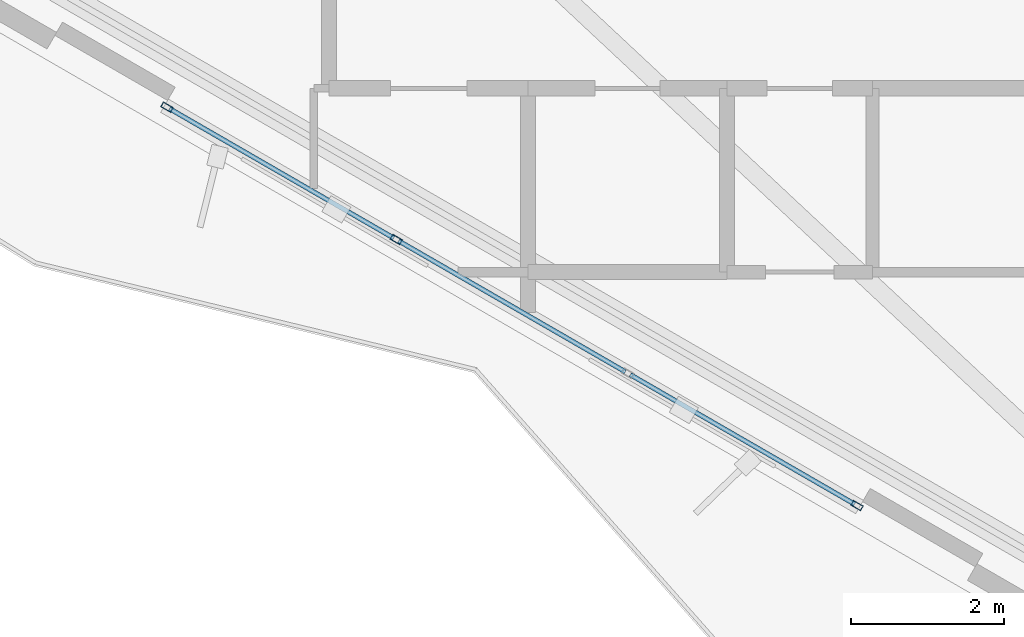
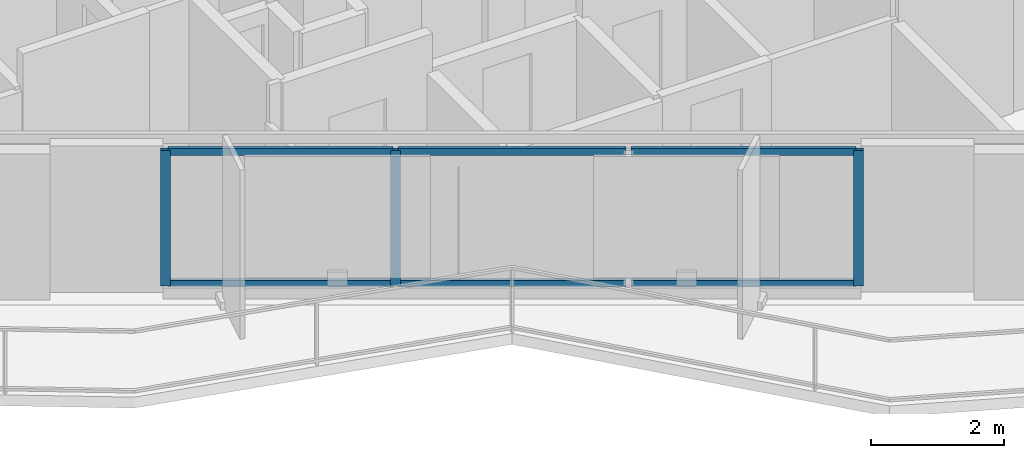
# One storey, part 2 of 19: 9 members, 1 element without a shape of its own.
"""IFC4 building model written with IfcOpenShell, lengths in metres."""

from ifc_helpers import new_model, si_unit, direction, frame, origin, origin_2d, place, context, subcontext, project, spatial, hollow_rectangle, extrude, material, layer, layer_set, material_profile, profile_set, type_object, element, aggregate, save


model = new_model("IFC4")

# Units and contexts
model_context = context("Model", 3, precision=1e-05, world=origin(), true_north=direction((0.0, 1.0)))
body_context = subcontext(model_context, "Body", "Model", "MODEL_VIEW")
ifc_project = project(units=[si_unit("LENGTHUNIT", "METRE"), si_unit("AREAUNIT", "SQUARE_METRE"), si_unit("VOLUMEUNIT", "CUBIC_METRE"), si_unit("PLANEANGLEUNIT", "RADIAN"), si_unit("MASSUNIT", "GRAM", prefix="KILO")], contexts=[model_context])

# Site, building, storey
site_placement = place(None, origin())
site = spatial("IfcSite", under=ifc_project, at=site_placement, CompositionType="ELEMENT")
building_placement = place(site_placement, origin())
building = spatial("IfcBuilding", under=site, at=building_placement, Name="Mersakhor Tower and Convention Hall", CompositionType="ELEMENT")
storey_placement = place(building_placement, frame((0.0, 0.0, 144.300048828125)))
storey = spatial("IfcBuildingStorey", under=building, at=storey_placement, Name="L40", CompositionType="ELEMENT", Elevation=144.300048828125)

# Curtain wall, members
ifc_material_1 = material(Name="Dark solar low-E aluminium curtain wall", Category="aluminium")
ifc_layer = layer(ifc_material_1, 0.169921875)
ifc_layer_set = layer_set([ifc_layer], Name="Dark solar low-E aluminium curtain wall")
curtain_wall_type = type_object("IfcCurtainWallType", Name="CW-SYS-02", PredefinedType="USERDEFINED", material=ifc_layer_set)
curtain_wall_placement = place(storey_placement, origin())
curtain_wall = element("IfcCurtainWall", 1, at=curtain_wall_placement, inside=storey, type_object=curtain_wall_type, Name="L40 Dark-Glass Curtain Wall F3-B2", ObjectType="CURTAIN WALL", PredefinedType="USERDEFINED")
ifc_material_2 = material(Name="Anodised aluminium EN AW-6063 T6", Category="aluminium")
ifc_material_profile_1 = material_profile(ifc_material_2, hollow_rectangle(XDim=0.074951171875, YDim=0.14990234375, WallThickness=0.00634765625, at=origin_2d()), Name="RHS 150x75x6.3")
ifc_profile_set_1 = profile_set([ifc_material_profile_1], Name="Anodised aluminium EN AW-6063 T6")
member_type_1 = type_object("IfcMemberType", Name="CWM-150x75", PredefinedType="MULLION", material=ifc_profile_set_1)
member_1_placement = place(storey_placement, frame((26.8984375, 12.69921875, 0.199951171875), z_axis=(0.0, 0.0, 1.0), x_axis=(-0.499990468363, -0.866030906807, 0.0)))
member_1 = element("IfcMember", 2, at=member_1_placement, type_object=member_type_1, Name="CW-02 mullion 1", PredefinedType="MULLION", context=body_context, shape_type="SweptSolid", body=[
    extrude(hollow_rectangle(XDim=0.074951171875, YDim=0.14990234375, WallThickness=0.00634765625, at=origin_2d()), origin(), (0.0, 0.0, 1.0), 2.47998046875),
])
member_2_placement = place(storey_placement, frame((20.876953125, 16.17578125, 0.199951171875), z_axis=(0.0, 0.0, 1.0), x_axis=(-0.499990468363, -0.866030906807, 0.0)))
member_2 = element("IfcMember", 3, at=member_2_placement, type_object=member_type_1, Name="CW-02 mullion 3", PredefinedType="MULLION", context=body_context, shape_type="SweptSolid", body=[
    extrude(hollow_rectangle(XDim=0.074951171875, YDim=0.14990234375, WallThickness=0.00634765625, at=origin_2d()), origin(), (0.0, 0.0, 1.0), 2.47998046875),
])
member_3_placement = place(storey_placement, frame((17.88232421875, 17.904541015625, 0.199951171875), z_axis=(0.0, 0.0, 1.0), x_axis=(-0.499990468363, -0.866030906807, 0.0)))
member_3 = element("IfcMember", 4, at=member_3_placement, type_object=member_type_1, Name="CW-02 mullion 4", PredefinedType="MULLION", context=body_context, shape_type="SweptSolid", body=[
    extrude(hollow_rectangle(XDim=0.074951171875, YDim=0.14990234375, WallThickness=0.00634765625, at=origin_2d()), origin(), (0.0, 0.0, 1.0), 2.47998046875),
])
ifc_material_3 = material(Name="Anodised aluminium EN AW-6063 T6", Category="aluminium")
ifc_material_profile_2 = material_profile(ifc_material_3, hollow_rectangle(XDim=0.06005859375, YDim=0.1201171875, WallThickness=0.0048828125, at=origin_2d()), Name="RHS 120x60x5")
ifc_profile_set_2 = profile_set([ifc_material_profile_2], Name="Anodised aluminium EN AW-6063 T6")
member_type_2 = type_object("IfcMemberType", Name="CWT-120x60", PredefinedType="USERDEFINED", material=ifc_profile_set_2)
member_4_placement = place(storey_placement, frame((26.865966796875, 12.718017578125, 0.22998046875), z_axis=(-0.866044963944, 0.49996611928, 0.0), x_axis=(-0.49996611928, -0.866044963944, 0.0)))
member_4 = element("IfcMember", 5, at=member_4_placement, type_object=member_type_2, Name="CW-02 transom 1.1", ObjectType="TRANSOM", PredefinedType="USERDEFINED", context=body_context, shape_type="SweptSolid", body=[
    extrude(hollow_rectangle(XDim=0.06005859375, YDim=0.1201171875, WallThickness=0.0048828125, at=origin_2d()), origin(), (0.0, 0.0, 1.0), 3.382568359375),
])
member_5_placement = place(storey_placement, frame((26.865966796875, 12.718017578125, 2.64990234375), z_axis=(-0.866044963944, 0.49996611928, 0.0), x_axis=(-0.49996611928, -0.866044963944, 0.0)))
member_5 = element("IfcMember", 6, at=member_5_placement, type_object=member_type_2, Name="CW-02 transom 1.2", ObjectType="TRANSOM", PredefinedType="USERDEFINED", context=body_context, shape_type="SweptSolid", body=[
    extrude(hollow_rectangle(XDim=0.06005859375, YDim=0.1201171875, WallThickness=0.0048828125, at=origin_2d()), origin(), (0.0, 0.0, 1.0), 3.382568359375),
])
member_6_placement = place(storey_placement, frame((23.871337890625, 14.44677734375, 0.22998046875), z_axis=(-0.866007273829, 0.50003140069, 0.0), x_axis=(-0.50003140069, -0.866007273829, 0.0)))
member_6 = element("IfcMember", 7, at=member_6_placement, type_object=member_type_2, Name="CW-02 transom 2.1", ObjectType="TRANSOM", PredefinedType="USERDEFINED", context=body_context, shape_type="SweptSolid", body=[
    extrude(hollow_rectangle(XDim=0.06005859375, YDim=0.1201171875, WallThickness=0.0048828125, at=origin_2d()), origin(), (0.0, 0.0, 1.0), 3.420166015625),
])
member_7_placement = place(storey_placement, frame((23.871337890625, 14.44677734375, 2.64990234375), z_axis=(-0.866007273829, 0.50003140069, 0.0), x_axis=(-0.50003140069, -0.866007273829, 0.0)))
member_7 = element("IfcMember", 8, at=member_7_placement, type_object=member_type_2, Name="CW-02 transom 2.2", ObjectType="TRANSOM", PredefinedType="USERDEFINED", context=body_context, shape_type="SweptSolid", body=[
    extrude(hollow_rectangle(XDim=0.06005859375, YDim=0.1201171875, WallThickness=0.0048828125, at=origin_2d()), origin(), (0.0, 0.0, 1.0), 3.420166015625),
])
member_8_placement = place(storey_placement, frame((20.844482421875, 16.1943359375, 0.22998046875), z_axis=(-0.866031754707, 0.499988999718, 0.0), x_axis=(-0.499988999718, -0.866031754707, 0.0)))
member_8 = element("IfcMember", 9, at=member_8_placement, type_object=member_type_2, Name="CW-02 transom 3.1", ObjectType="TRANSOM", PredefinedType="USERDEFINED", context=body_context, shape_type="SweptSolid", body=[
    extrude(hollow_rectangle(XDim=0.06005859375, YDim=0.1201171875, WallThickness=0.0048828125, at=origin_2d()), origin(), (0.0, 0.0, 1.0), 3.3828125),
])
member_9_placement = place(storey_placement, frame((20.844482421875, 16.1943359375, 2.64990234375), z_axis=(-0.866031754707, 0.499988999718, 0.0), x_axis=(-0.499988999718, -0.866031754707, 0.0)))
member_9 = element("IfcMember", 10, at=member_9_placement, type_object=member_type_2, Name="CW-02 transom 3.2", ObjectType="TRANSOM", PredefinedType="USERDEFINED", context=body_context, shape_type="SweptSolid", body=[
    extrude(hollow_rectangle(XDim=0.06005859375, YDim=0.1201171875, WallThickness=0.0048828125, at=origin_2d()), origin(), (0.0, 0.0, 1.0), 3.3828125),
])
aggregate(curtain_wall, [member_1, member_2, member_3, member_4, member_5, member_6, member_7, member_8, member_9])

save(model, "model.ifc")
